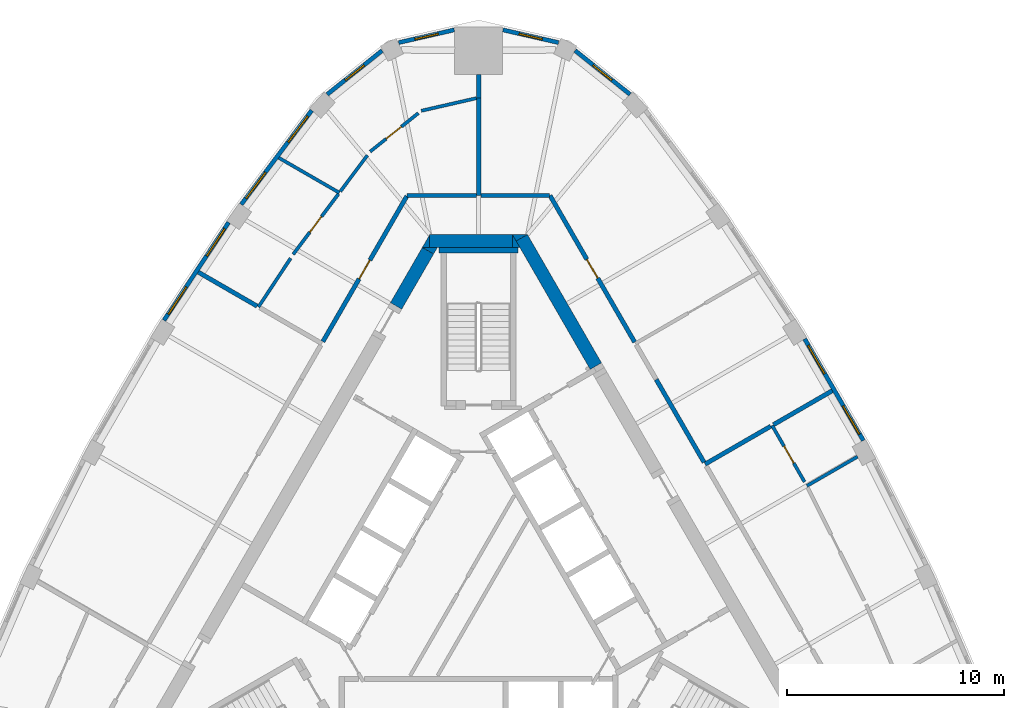
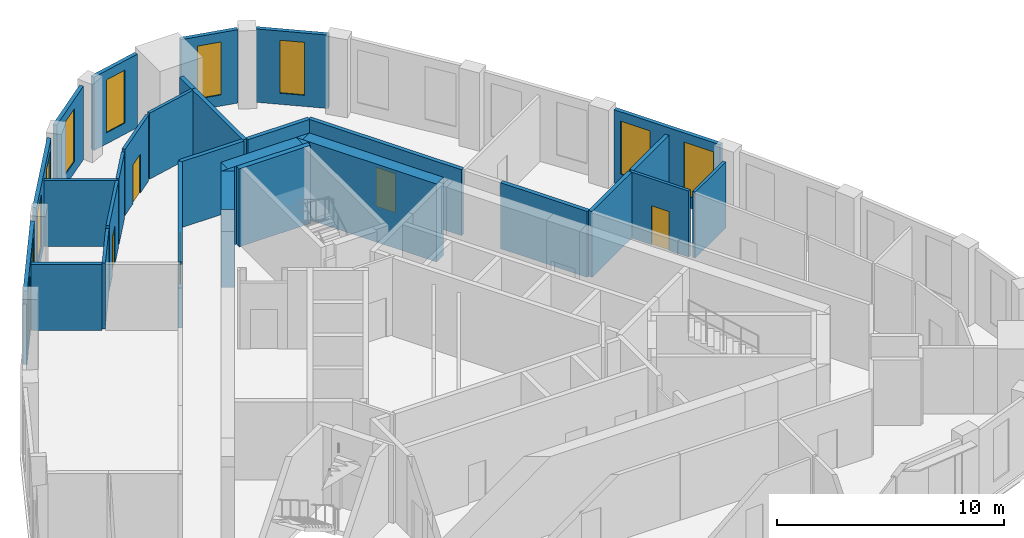
# One storey, part 8 of 10: 33 walls, 10 windows, 5 doors, 15 openings.
"""IFC4 building model written with IfcOpenShell, lengths in metres."""

from ifc_helpers import new_model, si_unit, direction, frame, frame_2d, origin, place, context, subcontext, project, spatial, polyline, rectangle, outline, extrude, material, layer, layer_set, type_object, element, fill, save


model = new_model("IFC4")

# Units and contexts
model_context = context("Model", 3, precision=1e-05, world=origin(), true_north=direction((0.0, 1.0)))
body_context = subcontext(model_context, "Body", "Model", "MODEL_VIEW")
ifc_project = project(units=[si_unit("LENGTHUNIT", "METRE"), si_unit("AREAUNIT", "SQUARE_METRE"), si_unit("VOLUMEUNIT", "CUBIC_METRE"), si_unit("PLANEANGLEUNIT", "RADIAN"), si_unit("MASSUNIT", "GRAM", prefix="KILO")], contexts=[model_context])

# Site, building, storey
site_placement = place(None, origin())
site = spatial("IfcSite", under=ifc_project, at=site_placement, CompositionType="ELEMENT")
building_placement = place(site_placement, origin())
building = spatial("IfcBuilding", under=site, at=building_placement, Name="Mestral Congress Tower", CompositionType="ELEMENT")
storey_placement = place(building_placement, frame((0.0, 0.0, 304.800048828125)))
storey = spatial("IfcBuildingStorey", under=building, at=storey_placement, Name="L71", CompositionType="ELEMENT", Elevation=304.800048828125)

# Walls
ifc_material_1 = material(Name="Concrete C60/75", Category="concrete")
ifc_layer_1 = layer(ifc_material_1, 0.60009765625)
ifc_layer_set_1 = layer_set([ifc_layer_1], Name="Concrete C60/75")
wall_type_1 = type_object("IfcWallType", Name="Core wall RC 600", PredefinedType="SOLIDWALL", material=ifc_layer_set_1)
wall_1_placement = place(storey_placement, frame((1.98876953125, 16.45556640625, 0.0), z_axis=(0.0, 0.0, 1.0), x_axis=(0.499973159588, -0.866040899549, 0.0)))
element("IfcWall", 1, at=wall_1_placement, inside=storey, type_object=wall_type_1, Name="L71 core wall", PredefinedType="SOLIDWALL", context=body_context, shape_type="SweptSolid", body=[
    extrude(rectangle(XDim=6.828125, YDim=0.60009765625, at=frame_2d((3.4140625, 0.0))), origin(), (0.0, 0.0, 1.0), 4.199951171875),
])
placement = place(storey_placement, origin())
element("IfcWall", 2, at=placement, inside=storey, type_object=wall_type_1, Name="L71 core wall", PredefinedType="SOLIDWALL", context=body_context, shape_type="SweptSolid", body=[
    extrude(outline(polyline([(1.558837890625, 16.60009765625), (2.23486328125, 16.60009765625), (1.727783203125, 16.307373046875), (1.558837890625, 16.60009765625)])), origin(), (0.0, 0.0, 1.0), 4.199951171875),
])
wall_3_placement = place(storey_placement, frame((-2.258056640625, 16.300048828125, 0.0), z_axis=(0.0, 0.0, 1.0), x_axis=(1.0, 0.0, 0.0)))
element("IfcWall", 3, at=wall_3_placement, inside=storey, type_object=wall_type_1, Name="L71 core wall", PredefinedType="SOLIDWALL", context=body_context, shape_type="SweptSolid", body=[
    extrude(rectangle(XDim=3.8232421875, YDim=0.60009765625, at=frame_2d((1.91162109375, 0.0))), origin(), (0.0, 0.0, 1.0), 4.199951171875),
])
element("IfcWall", 4, at=placement, inside=storey, type_object=wall_type_1, Name="L71 core wall", PredefinedType="SOLIDWALL", context=body_context, shape_type="SweptSolid", body=[
    extrude(outline(polyline([(1.9052734375, 16.0), (1.5673828125, 16.0), (1.5673828125, 16.58544921875), (1.9052734375, 16.0)])), origin(), (0.0, 0.0, 1.0), 4.199951171875),
])
element("IfcWall", 5, at=placement, inside=storey, type_object=wall_type_1, Name="L71 core wall", PredefinedType="SOLIDWALL", context=body_context, shape_type="SweptSolid", body=[
    extrude(outline(polyline([(-2.59814453125, 16.0), (-2.260009765625, 16.58544921875), (-2.260009765625, 16.0), (-2.59814453125, 16.0)])), origin(), (0.0, 0.0, 1.0), 4.199951171875),
])
wall_6_placement = place(storey_placement, frame((-2.335205078125, 15.85546875, 0.0), z_axis=(0.0, 0.0, 1.0), x_axis=(-0.499960127962, -0.866048422692, 0.0)))
element("IfcWall", 6, at=wall_6_placement, inside=storey, type_object=wall_type_1, Name="L71 core wall", PredefinedType="SOLIDWALL", context=body_context, shape_type="SweptSolid", body=[
    extrude(rectangle(XDim=2.934326171875, YDim=0.60009765625, at=frame_2d((1.46728515625, 0.0))), origin(), (0.0, 0.0, 1.0), 4.199951171875),
])
element("IfcWall", 7, at=placement, inside=storey, type_object=wall_type_1, Name="L71 core wall", PredefinedType="SOLIDWALL", context=body_context, shape_type="SweptSolid", body=[
    extrude(outline(polyline([(-1.9052734375, 16.0), (-2.07421875, 15.707275390625), (-2.581298828125, 16.0), (-1.9052734375, 16.0)])), origin(), (0.0, 0.0, 1.0), 4.199951171875),
])

# Wall, openings, windows
ifc_material_2 = material(Name="Precast concrete C40/50 with limestone facing", Category="masonry")
ifc_layer_2 = layer(ifc_material_2, 0.18994140625)
ifc_layer_set_2 = layer_set([ifc_layer_2], Name="Precast concrete C40/50 with limestone facing")
wall_type_2 = type_object("IfcWallType", Name="Facade stone wall 190", PredefinedType="SOLIDWALL", material=ifc_layer_set_2)
wall_8_placement = place(storey_placement, frame((17.728271484375, 7.1142578125, 0.0), z_axis=(0.0, 0.0, 1.0), x_axis=(-0.500024767483, 0.866011103799, 0.0)))
wall_8 = element("IfcWall", 8, at=wall_8_placement, inside=storey, type_object=wall_type_2, Name="Facade wall F1-02", PredefinedType="SOLIDWALL", context=body_context, shape_type="SweptSolid", body=[
    extrude(rectangle(XDim=5.406005859375, YDim=0.18994140625, at=frame_2d((2.703125, 0.0))), origin(), (0.0, 0.0, 1.0), 3.949951171875),
])
opening_1_placement = place(wall_8_placement, frame((0.346435546875, 0.0, 0.60009765625)))
opening_1 = element("IfcOpeningElement", 9, at=opening_1_placement, cuts=wall_8, Name="Opening W6", PredefinedType="OPENING", context=body_context, shape_type="SweptSolid", body=[
    extrude(rectangle(XDim=1.5, YDim=2.85009765625, at=frame_2d((0.75, 1.425048828125))), frame((0.0, 0.10498046875, 0.0), z_axis=(0.0, -1.0, 0.0), x_axis=(1.0, 0.0, 0.0)), (0.0, 0.0, 1.0), 0.2099609375),
])
opening_2_placement = place(wall_8_placement, frame((3.5595703125, 0.0, 0.60009765625)))
opening_2 = element("IfcOpeningElement", 10, at=opening_2_placement, cuts=wall_8, Name="Opening W6", PredefinedType="OPENING", context=body_context, shape_type="SweptSolid", body=[
    extrude(rectangle(XDim=1.5, YDim=2.85009765625, at=frame_2d((0.75, 1.425048828125))), frame((0.0, 0.10498046875, 0.0), z_axis=(0.0, -1.0, 0.0), x_axis=(1.0, 0.0, 0.0)), (0.0, 0.0, 1.0), 0.2099609375),
])
ifc_material_3 = material(Name="Clear low-emissivity double glazing", Category="glass")
window_type_1 = type_object("IfcWindowType", Name="Facade punched window 1500 x 2850 sill 600", PartitioningType="SINGLE_PANEL", PredefinedType="WINDOW", material=ifc_material_3)
window_1_placement = place(opening_1_placement, origin())
window_1 = element("IfcWindow", 11, at=window_1_placement, inside=storey, type_object=window_type_1, Name="Window F1-02a", OverallHeight=2.85009765625, OverallWidth=1.5, PartitioningType="SINGLE_PANEL", PredefinedType="WINDOW", context=body_context, shape_type="SweptSolid", body=[
    extrude(rectangle(XDim=1.5, YDim=2.85009765625, at=frame_2d((0.75, 1.425048828125))), frame((0.0, 0.044921875, 0.0), z_axis=(0.0, -1.0, 0.0), x_axis=(1.0, 0.0, 0.0)), (0.0, 0.0, 1.0), 0.06005859375),
])
fill(opening_1, window_1)
window_2_placement = place(opening_2_placement, origin())
window_2 = element("IfcWindow", 12, at=window_2_placement, inside=storey, type_object=window_type_1, Name="Window F1-02b", OverallHeight=2.85009765625, OverallWidth=1.5, PartitioningType="SINGLE_PANEL", PredefinedType="WINDOW", context=body_context, shape_type="SweptSolid", body=[
    extrude(rectangle(XDim=1.5, YDim=2.85009765625, at=frame_2d((0.75, 1.425048828125))), frame((0.0, 0.044921875, 0.0), z_axis=(0.0, -1.0, 0.0), x_axis=(1.0, 0.0, 0.0)), (0.0, 0.0, 1.0), 0.06005859375),
])
fill(opening_2, window_2)

# Wall, opening, window
wall_9_placement = place(storey_placement, frame((6.977294921875, 23.061279296875, 0.0), z_axis=(0.0, 0.0, 1.0), x_axis=(-0.781626234064, 0.623747088349, 0.0)))
wall_9 = element("IfcWall", 13, at=wall_9_placement, inside=storey, type_object=wall_type_2, Name="Facade wall K1-0", PredefinedType="SOLIDWALL", context=body_context, shape_type="SweptSolid", body=[
    extrude(rectangle(XDim=3.236572265625, YDim=0.18994140625, at=frame_2d((1.6181640625, 0.0))), origin(), (0.0, 0.0, 1.0), 3.949951171875),
])
opening_3_placement = place(wall_9_placement, frame((1.068359375, 0.0, 0.60009765625)))
opening_3 = element("IfcOpeningElement", 14, at=opening_3_placement, cuts=wall_9, Name="Opening W7", PredefinedType="OPENING", context=body_context, shape_type="SweptSolid", body=[
    extrude(rectangle(XDim=1.10009765625, YDim=2.85009765625, at=frame_2d((0.550048828125, 1.425048828125))), frame((0.0, 0.10498046875, 0.0), z_axis=(0.0, -1.0, 0.0), x_axis=(1.0, 0.0, 0.0)), (0.0, 0.0, 1.0), 0.2099609375),
])
window_type_2 = type_object("IfcWindowType", Name="Facade punched window 1100 x 2850 sill 600", PartitioningType="SINGLE_PANEL", PredefinedType="WINDOW", material=ifc_material_3)
window_3_placement = place(opening_3_placement, origin())
window_3 = element("IfcWindow", 15, at=window_3_placement, inside=storey, type_object=window_type_2, Name="Window K1-0", OverallHeight=2.85009765625, OverallWidth=1.10009765625, PartitioningType="SINGLE_PANEL", PredefinedType="WINDOW", context=body_context, shape_type="SweptSolid", body=[
    extrude(rectangle(XDim=1.10009765625, YDim=2.85009765625, at=frame_2d((0.550048828125, 1.425048828125))), frame((0.0, 0.044921875, 0.0), z_axis=(0.0, -1.0, 0.0), x_axis=(1.0, 0.0, 0.0)), (0.0, 0.0, 1.0), 0.06005859375),
])
fill(opening_3, window_3)

wall_10_placement = place(storey_placement, frame((3.6826171875, 25.44873046875, 0.0), z_axis=(0.0, 0.0, 1.0), x_axis=(-0.974913273386, 0.222585060988, 0.0)))
wall_10 = element("IfcWall", 16, at=wall_10_placement, inside=storey, type_object=wall_type_2, Name="Facade wall K1-1", PredefinedType="SOLIDWALL", context=body_context, shape_type="SweptSolid", body=[
    extrude(rectangle(XDim=2.626953125, YDim=0.18994140625, at=frame_2d((1.3134765625, 0.0))), origin(), (0.0, 0.0, 1.0), 3.949951171875),
])
opening_4_placement = place(wall_10_placement, frame((0.763427734375, 0.0, 0.60009765625)))
opening_4 = element("IfcOpeningElement", 17, at=opening_4_placement, cuts=wall_10, Name="Opening W7", PredefinedType="OPENING", context=body_context, shape_type="SweptSolid", body=[
    extrude(rectangle(XDim=1.10009765625, YDim=2.85009765625, at=frame_2d((0.550048828125, 1.425048828125))), frame((0.0, 0.10498046875, 0.0), z_axis=(0.0, -1.0, 0.0), x_axis=(1.0, 0.0, 0.0)), (0.0, 0.0, 1.0), 0.2099609375),
])
window_4_placement = place(opening_4_placement, origin())
window_4 = element("IfcWindow", 18, at=window_4_placement, inside=storey, type_object=window_type_2, Name="Window K1-1", OverallHeight=2.85009765625, OverallWidth=1.10009765625, PartitioningType="SINGLE_PANEL", PredefinedType="WINDOW", context=body_context, shape_type="SweptSolid", body=[
    extrude(rectangle(XDim=1.10009765625, YDim=2.85009765625, at=frame_2d((0.550048828125, 1.425048828125))), frame((0.0, 0.044921875, 0.0), z_axis=(0.0, -1.0, 0.0), x_axis=(1.0, 0.0, 0.0)), (0.0, 0.0, 1.0), 0.06005859375),
])
fill(opening_4, window_4)

wall_11_placement = place(storey_placement, frame((-1.12158203125, 26.033447265625, 0.0), z_axis=(0.0, 0.0, 1.0), x_axis=(-0.974913273386, -0.222585060988, 0.0)))
wall_11 = element("IfcWall", 19, at=wall_11_placement, inside=storey, type_object=wall_type_2, Name="Facade wall K1-2", PredefinedType="SOLIDWALL", context=body_context, shape_type="SweptSolid", body=[
    extrude(rectangle(XDim=2.626953125, YDim=0.18994140625, at=frame_2d((1.3134765625, 0.0))), origin(), (0.0, 0.0, 1.0), 3.949951171875),
])
opening_5_placement = place(wall_11_placement, frame((0.763427734375, 0.0, 0.60009765625)))
opening_5 = element("IfcOpeningElement", 20, at=opening_5_placement, cuts=wall_11, Name="Opening W7", PredefinedType="OPENING", context=body_context, shape_type="SweptSolid", body=[
    extrude(rectangle(XDim=1.10009765625, YDim=2.85009765625, at=frame_2d((0.550048828125, 1.425048828125))), frame((0.0, 0.10498046875, 0.0), z_axis=(0.0, -1.0, 0.0), x_axis=(1.0, 0.0, 0.0)), (0.0, 0.0, 1.0), 0.2099609375),
])
window_5_placement = place(opening_5_placement, origin())
window_5 = element("IfcWindow", 21, at=window_5_placement, inside=storey, type_object=window_type_2, Name="Window K1-2", OverallHeight=2.85009765625, OverallWidth=1.10009765625, PartitioningType="SINGLE_PANEL", PredefinedType="WINDOW", context=body_context, shape_type="SweptSolid", body=[
    extrude(rectangle(XDim=1.10009765625, YDim=2.85009765625, at=frame_2d((0.550048828125, 1.425048828125))), frame((0.0, 0.044921875, 0.0), z_axis=(0.0, -1.0, 0.0), x_axis=(1.0, 0.0, 0.0)), (0.0, 0.0, 1.0), 0.06005859375),
])
fill(opening_5, window_5)

wall_12_placement = place(storey_placement, frame((-4.447509765625, 25.080078125, 0.0), z_axis=(0.0, 0.0, 1.0), x_axis=(-0.781626234064, -0.623747088349, 0.0)))
wall_12 = element("IfcWall", 22, at=wall_12_placement, inside=storey, type_object=wall_type_2, Name="Facade wall K1-3", PredefinedType="SOLIDWALL", context=body_context, shape_type="SweptSolid", body=[
    extrude(rectangle(XDim=3.236572265625, YDim=0.18994140625, at=frame_2d((1.6181640625, 0.0))), origin(), (0.0, 0.0, 1.0), 3.949951171875),
])
opening_6_placement = place(wall_12_placement, frame((1.068359375, 0.0, 0.60009765625)))
opening_6 = element("IfcOpeningElement", 23, at=opening_6_placement, cuts=wall_12, Name="Opening W7", PredefinedType="OPENING", context=body_context, shape_type="SweptSolid", body=[
    extrude(rectangle(XDim=1.10009765625, YDim=2.85009765625, at=frame_2d((0.550048828125, 1.425048828125))), frame((0.0, 0.10498046875, 0.0), z_axis=(0.0, -1.0, 0.0), x_axis=(1.0, 0.0, 0.0)), (0.0, 0.0, 1.0), 0.2099609375),
])
window_6_placement = place(opening_6_placement, origin())
window_6 = element("IfcWindow", 24, at=window_6_placement, inside=storey, type_object=window_type_2, Name="Window K1-3", OverallHeight=2.85009765625, OverallWidth=1.10009765625, PartitioningType="SINGLE_PANEL", PredefinedType="WINDOW", context=body_context, shape_type="SweptSolid", body=[
    extrude(rectangle(XDim=1.10009765625, YDim=2.85009765625, at=frame_2d((0.550048828125, 1.425048828125))), frame((0.0, 0.044921875, 0.0), z_axis=(0.0, -1.0, 0.0), x_axis=(1.0, 0.0, 0.0)), (0.0, 0.0, 1.0), 0.06005859375),
])
fill(opening_6, window_6)

# Wall, openings, windows
wall_13_placement = place(storey_placement, frame((-7.691650390625, 22.32373046875, 0.0), z_axis=(0.0, 0.0, 1.0), x_axis=(-0.599559865294, -0.800329911929, 0.0)))
wall_13 = element("IfcWall", 25, at=wall_13_placement, inside=storey, type_object=wall_type_2, Name="Facade wall F2-00", PredefinedType="SOLIDWALL", context=body_context, shape_type="SweptSolid", body=[
    extrude(rectangle(XDim=5.4150390625, YDim=0.18994140625, at=frame_2d((2.70751953125, 0.0))), origin(), (0.0, 0.0, 1.0), 3.949951171875),
])
opening_7_placement = place(wall_13_placement, frame((0.322509765625, 0.0, 0.60009765625)))
opening_7 = element("IfcOpeningElement", 26, at=opening_7_placement, cuts=wall_13, Name="Opening W6", PredefinedType="OPENING", context=body_context, shape_type="SweptSolid", body=[
    extrude(rectangle(XDim=1.5, YDim=2.85009765625, at=frame_2d((0.75, 1.425048828125))), frame((0.0, 0.10498046875, 0.0), z_axis=(0.0, -1.0, 0.0), x_axis=(1.0, 0.0, 0.0)), (0.0, 0.0, 1.0), 0.2099609375),
])
opening_8_placement = place(wall_13_placement, frame((3.5576171875, 0.0, 0.60009765625)))
opening_8 = element("IfcOpeningElement", 27, at=opening_8_placement, cuts=wall_13, Name="Opening W6", PredefinedType="OPENING", context=body_context, shape_type="SweptSolid", body=[
    extrude(rectangle(XDim=1.5, YDim=2.85009765625, at=frame_2d((0.75, 1.425048828125))), frame((0.0, 0.10498046875, 0.0), z_axis=(0.0, -1.0, 0.0), x_axis=(1.0, 0.0, 0.0)), (0.0, 0.0, 1.0), 0.2099609375),
])
window_7_placement = place(opening_7_placement, origin())
window_7 = element("IfcWindow", 28, at=window_7_placement, inside=storey, type_object=window_type_1, Name="Window F2-00a", OverallHeight=2.85009765625, OverallWidth=1.5, PartitioningType="SINGLE_PANEL", PredefinedType="WINDOW", context=body_context, shape_type="SweptSolid", body=[
    extrude(rectangle(XDim=1.5, YDim=2.85009765625, at=frame_2d((0.75, 1.425048828125))), frame((0.0, 0.044921875, 0.0), z_axis=(0.0, -1.0, 0.0), x_axis=(1.0, 0.0, 0.0)), (0.0, 0.0, 1.0), 0.06005859375),
])
fill(opening_7, window_7)
window_8_placement = place(opening_8_placement, origin())
window_8 = element("IfcWindow", 29, at=window_8_placement, inside=storey, type_object=window_type_1, Name="Window F2-00b", OverallHeight=2.85009765625, OverallWidth=1.5, PartitioningType="SINGLE_PANEL", PredefinedType="WINDOW", context=body_context, shape_type="SweptSolid", body=[
    extrude(rectangle(XDim=1.5, YDim=2.85009765625, at=frame_2d((0.75, 1.425048828125))), frame((0.0, 0.044921875, 0.0), z_axis=(0.0, -1.0, 0.0), x_axis=(1.0, 0.0, 0.0)), (0.0, 0.0, 1.0), 0.06005859375),
])
fill(opening_8, window_8)

wall_14_placement = place(storey_placement, frame((-11.518310546875, 17.16552734375, 0.0), z_axis=(0.0, 0.0, 1.0), x_axis=(-0.550744054781, -0.83467417962, 0.0)))
wall_14 = element("IfcWall", 30, at=wall_14_placement, inside=storey, type_object=wall_type_2, Name="Facade wall F2-01", PredefinedType="SOLIDWALL", context=body_context, shape_type="SweptSolid", body=[
    extrude(rectangle(XDim=5.406005859375, YDim=0.18994140625, at=frame_2d((2.703125, 0.0))), origin(), (0.0, 0.0, 1.0), 3.949951171875),
])
opening_9_placement = place(wall_14_placement, frame((0.346435546875, 0.0, 0.60009765625)))
opening_9 = element("IfcOpeningElement", 31, at=opening_9_placement, cuts=wall_14, Name="Opening W6", PredefinedType="OPENING", context=body_context, shape_type="SweptSolid", body=[
    extrude(rectangle(XDim=1.5, YDim=2.85009765625, at=frame_2d((0.75, 1.425048828125))), frame((0.0, 0.10498046875, 0.0), z_axis=(0.0, -1.0, 0.0), x_axis=(1.0, 0.0, 0.0)), (0.0, 0.0, 1.0), 0.2099609375),
])
opening_10_placement = place(wall_14_placement, frame((3.559326171875, 0.0, 0.60009765625)))
opening_10 = element("IfcOpeningElement", 32, at=opening_10_placement, cuts=wall_14, Name="Opening W6", PredefinedType="OPENING", context=body_context, shape_type="SweptSolid", body=[
    extrude(rectangle(XDim=1.5, YDim=2.85009765625, at=frame_2d((0.75, 1.425048828125))), frame((0.0, 0.10498046875, 0.0), z_axis=(0.0, -1.0, 0.0), x_axis=(1.0, 0.0, 0.0)), (0.0, 0.0, 1.0), 0.2099609375),
])
window_9_placement = place(opening_9_placement, origin())
window_9 = element("IfcWindow", 33, at=window_9_placement, inside=storey, type_object=window_type_1, Name="Window F2-01a", OverallHeight=2.85009765625, OverallWidth=1.5, PartitioningType="SINGLE_PANEL", PredefinedType="WINDOW", context=body_context, shape_type="SweptSolid", body=[
    extrude(rectangle(XDim=1.5, YDim=2.85009765625, at=frame_2d((0.75, 1.425048828125))), frame((0.0, 0.044921875, 0.0), z_axis=(0.0, -1.0, 0.0), x_axis=(1.0, 0.0, 0.0)), (0.0, 0.0, 1.0), 0.06005859375),
])
fill(opening_9, window_9)
window_10_placement = place(opening_10_placement, origin())
window_10 = element("IfcWindow", 34, at=window_10_placement, inside=storey, type_object=window_type_1, Name="Window F2-01b", OverallHeight=2.85009765625, OverallWidth=1.5, PartitioningType="SINGLE_PANEL", PredefinedType="WINDOW", context=body_context, shape_type="SweptSolid", body=[
    extrude(rectangle(XDim=1.5, YDim=2.85009765625, at=frame_2d((0.75, 1.425048828125))), frame((0.0, 0.044921875, 0.0), z_axis=(0.0, -1.0, 0.0), x_axis=(1.0, 0.0, 0.0)), (0.0, 0.0, 1.0), 0.06005859375),
])
fill(opening_10, window_10)

# Wall
ifc_material_4 = material(Name="Plasterboard partition on steel studs", Category="steel")
ifc_layer_3 = layer(ifc_material_4, 0.14990234375)
ifc_layer_set_3 = layer_set([ifc_layer_3], Name="Plasterboard partition on steel studs")
wall_type_3 = type_object("IfcWallType", Name="Office partition 150", PredefinedType="PARTITIONING", material=ifc_layer_set_3)
wall_15_placement = place(storey_placement, frame((15.124267578125, 5.02197265625, 0.0), z_axis=(0.0, 0.0, 1.0), x_axis=(0.866010629317, 0.500025589255, 0.0)))
element("IfcWall", 35, at=wall_15_placement, inside=storey, type_object=wall_type_3, Name="Partition", PredefinedType="PARTITIONING", context=body_context, shape_type="SweptSolid", body=[
    extrude(rectangle(XDim=2.695556640625, YDim=0.14990234375, at=frame_2d((1.34765625, 0.0))), origin(), (0.0, 0.0, 1.0), 3.550048828125),
])

# Wall, opening, door
wall_16_placement = place(storey_placement, frame((13.523193359375, 7.8076171875, 0.0), z_axis=(0.0, 0.0, 1.0), x_axis=(0.498338040698, -0.866982812513, 0.0)))
wall_16 = element("IfcWall", 36, at=wall_16_placement, inside=storey, type_object=wall_type_3, Name="Partition", PredefinedType="PARTITIONING", context=body_context, shape_type="SweptSolid", body=[
    extrude(rectangle(XDim=2.998779296875, YDim=0.14990234375, at=frame_2d((1.49951171875, 0.0))), origin(), (0.0, 0.0, 1.0), 3.550048828125),
])
opening_11_placement = place(wall_16_placement, frame((1.0986328125, 0.0, 0.0)))
opening_11 = element("IfcOpeningElement", 37, at=opening_11_placement, cuts=wall_16, Name="Opening O14-007", PredefinedType="OPENING", context=body_context, shape_type="SweptSolid", body=[
    extrude(rectangle(XDim=0.89990234375, YDim=2.10009765625, at=frame_2d((0.449951171875, 1.050048828125))), frame((0.0, 0.0849609375, 0.0), z_axis=(0.0, -1.0, 0.0), x_axis=(1.0, 0.0, 0.0)), (0.0, 0.0, 1.0), 0.169921875),
])
ifc_material_5 = material(Name="Timber door set", Category="wood")
door_type_1 = type_object("IfcDoorType", Name="Office door 900x2100", OperationType="SINGLE_SWING_LEFT", PredefinedType="DOOR", material=ifc_material_5)
door_1_placement = place(opening_11_placement, origin())
door_1 = element("IfcDoor", 38, at=door_1_placement, inside=storey, type_object=door_type_1, Name="Door O14-007", OperationType="SINGLE_SWING_RIGHT", OverallHeight=2.10009765625, OverallWidth=0.89990234375, PredefinedType="DOOR", context=body_context, shape_type="SweptSolid", body=[
    extrude(rectangle(XDim=0.89990234375, YDim=2.10009765625, at=frame_2d((0.449951171875, 1.050048828125))), frame((0.0, 0.02490234375, 0.0), z_axis=(0.0, -1.0, 0.0), x_axis=(1.0, 0.0, 0.0)), (0.0, 0.0, 1.0), 0.050048828125),
])
fill(opening_11, door_1)

# Walls
wall_17_placement = place(storey_placement, frame((-6.41650390625, 18.5302734375, 0.0), z_axis=(0.0, 0.0, 1.0), x_axis=(-0.866034203951, 0.499984757355, 0.0)))
element("IfcWall", 39, at=wall_17_placement, inside=storey, type_object=wall_type_3, Name="Partition", PredefinedType="PARTITIONING", context=body_context, shape_type="SweptSolid", body=[
    extrude(rectangle(XDim=3.22265625, YDim=0.14990234375, at=frame_2d((1.611328125, 0.0))), origin(), (0.0, 0.0, 1.0), 3.550048828125),
])
wall_18_placement = place(storey_placement, frame((-0.10009765625, 22.886962890625, 0.0), z_axis=(0.0, 0.0, 1.0), x_axis=(-0.974895716418, -0.222661945805, 0.0)))
element("IfcWall", 40, at=wall_18_placement, inside=storey, type_object=wall_type_3, Name="Partition", PredefinedType="PARTITIONING", context=body_context, shape_type="SweptSolid", body=[
    extrude(rectangle(XDim=2.605224609375, YDim=0.14990234375, at=frame_2d((1.302734375, 0.0))), origin(), (0.0, 0.0, 1.0), 3.550048828125),
])

# Wall, opening, door
wall_19_placement = place(storey_placement, frame((-4.995361328125, 20.42724609375, 0.0), z_axis=(0.0, 0.0, 1.0), x_axis=(0.781622833459, 0.62375134967, 0.0)))
wall_19 = element("IfcWall", 41, at=wall_19_placement, inside=storey, type_object=wall_type_3, Name="Partition", PredefinedType="PARTITIONING", context=body_context, shape_type="SweptSolid", body=[
    extrude(rectangle(XDim=2.8408203125, YDim=0.14990234375, at=frame_2d((1.42041015625, 0.0))), origin(), (0.0, 0.0, 1.0), 3.550048828125),
])
opening_12_placement = place(wall_19_placement, frame((0.940673828125, 0.0, 0.0)))
opening_12 = element("IfcOpeningElement", 42, at=opening_12_placement, cuts=wall_19, Name="Opening O14-011", PredefinedType="OPENING", context=body_context, shape_type="SweptSolid", body=[
    extrude(rectangle(XDim=0.89990234375, YDim=2.10009765625, at=frame_2d((0.449951171875, 1.050048828125))), frame((0.0, 0.0849609375, 0.0), z_axis=(0.0, -1.0, 0.0), x_axis=(1.0, 0.0, 0.0)), (0.0, 0.0, 1.0), 0.169921875),
])
door_2_placement = place(opening_12_placement, origin())
door_2 = element("IfcDoor", 43, at=door_2_placement, inside=storey, type_object=door_type_1, Name="Door O14-011", OperationType="SINGLE_SWING_LEFT", OverallHeight=2.10009765625, OverallWidth=0.89990234375, PredefinedType="DOOR", context=body_context, shape_type="SweptSolid", body=[
    extrude(rectangle(XDim=0.89990234375, YDim=2.10009765625, at=frame_2d((0.449951171875, 1.050048828125))), frame((0.0, 0.02490234375, 0.0), z_axis=(0.0, -1.0, 0.0), x_axis=(1.0, 0.0, 0.0)), (0.0, 0.0, 1.0), 0.050048828125),
])
fill(opening_12, door_2)

# Wall
wall_20_placement = place(storey_placement, frame((-5.123779296875, 20.255859375, 0.0), z_axis=(0.0, 0.0, 1.0), x_axis=(-0.599549274705, -0.800337845663, 0.0)))
element("IfcWall", 44, at=wall_20_placement, inside=storey, type_object=wall_type_3, Name="Partition", PredefinedType="PARTITIONING", context=body_context, shape_type="SweptSolid", body=[
    extrude(rectangle(XDim=2.080322265625, YDim=0.14990234375, at=frame_2d((1.0400390625, 0.0))), origin(), (0.0, 0.0, 1.0), 3.550048828125),
])

# Wall, opening, door
wall_21_placement = place(storey_placement, frame((-8.54443359375, 15.689697265625, 0.0), z_axis=(0.0, 0.0, 1.0), x_axis=(0.599538824769, 0.800345673815, 0.0)))
wall_21 = element("IfcWall", 45, at=wall_21_placement, inside=storey, type_object=wall_type_3, Name="Partition", PredefinedType="PARTITIONING", context=body_context, shape_type="SweptSolid", body=[
    extrude(rectangle(XDim=3.4736328125, YDim=0.14990234375, at=frame_2d((1.73681640625, 0.0))), origin(), (0.0, 0.0, 1.0), 3.550048828125),
])
opening_13_placement = place(wall_21_placement, frame((1.273681640625, 0.0, 0.0)))
opening_13 = element("IfcOpeningElement", 46, at=opening_13_placement, cuts=wall_21, Name="Opening O14-012", PredefinedType="OPENING", context=body_context, shape_type="SweptSolid", body=[
    extrude(rectangle(XDim=0.89990234375, YDim=2.10009765625, at=frame_2d((0.449951171875, 1.050048828125))), frame((0.0, 0.0849609375, 0.0), z_axis=(0.0, -1.0, 0.0), x_axis=(1.0, 0.0, 0.0)), (0.0, 0.0, 1.0), 0.169921875),
])
door_3_placement = place(opening_13_placement, origin())
door_3 = element("IfcDoor", 47, at=door_3_placement, inside=storey, type_object=door_type_1, Name="Door O14-012", OperationType="SINGLE_SWING_LEFT", OverallHeight=2.10009765625, OverallWidth=0.89990234375, PredefinedType="DOOR", context=body_context, shape_type="SweptSolid", body=[
    extrude(rectangle(XDim=0.89990234375, YDim=2.10009765625, at=frame_2d((0.449951171875, 1.050048828125))), frame((0.0, 0.02490234375, 0.0), z_axis=(0.0, -1.0, 0.0), x_axis=(1.0, 0.0, 0.0)), (0.0, 0.0, 1.0), 0.050048828125),
])
fill(opening_13, door_3)

# Walls
wall_22_placement = place(storey_placement, frame((-8.662353515625, 15.5107421875, 0.0), z_axis=(0.0, 0.0, 1.0), x_axis=(-0.550792824442, -0.834641997831, 0.0)))
element("IfcWall", 48, at=wall_22_placement, inside=storey, type_object=wall_type_3, Name="Partition", PredefinedType="PARTITIONING", context=body_context, shape_type="SweptSolid", body=[
    extrude(rectangle(XDim=2.68603515625, YDim=0.14990234375, at=frame_2d((1.343017578125, 0.0))), origin(), (0.0, 0.0, 1.0), 3.550048828125),
])
ifc_material_6 = material(Name="Dense masonry wall, plastered", Category="masonry")
ifc_layer_4 = layer(ifc_material_6, 0.199951171875)
ifc_layer_set_4 = layer_set([ifc_layer_4], Name="Dense masonry wall, plastered")
wall_type_4 = type_object("IfcWallType", Name="Office tenancy wall 200", PredefinedType="PARTITIONING", material=ifc_layer_set_4)
wall_23_placement = place(storey_placement, frame((13.588134765625, 7.84521484375, 0.0), z_axis=(0.0, 0.0, 1.0), x_axis=(0.866022959057, 0.500004234368, 0.0)))
element("IfcWall", 49, at=wall_23_placement, inside=storey, type_object=wall_type_4, Name="Tenancy wall", PredefinedType="PARTITIONING", context=body_context, shape_type="SweptSolid", body=[
    extrude(rectangle(XDim=3.125, YDim=0.199951171875, at=frame_2d((1.5625, 0.0))), origin(), (0.0, 0.0, 1.0), 3.550048828125),
])
wall_24_placement = place(storey_placement, frame((10.435546875, 6.02490234375, 0.0), z_axis=(0.0, 0.0, 1.0), x_axis=(0.866030664334, 0.49999088835, 0.0)))
element("IfcWall", 50, at=wall_24_placement, inside=storey, type_object=wall_type_4, Name="Tenancy wall", PredefinedType="PARTITIONING", context=body_context, shape_type="SweptSolid", body=[
    extrude(rectangle(XDim=3.490234375, YDim=0.199951171875, at=frame_2d((1.7451171875, 0.0))), origin(), (0.0, 0.0, 1.0), 3.550048828125),
])
wall_25_placement = place(storey_placement, frame((10.385498046875, 6.111572265625, 0.0), z_axis=(0.0, 0.0, 1.0), x_axis=(-0.499988222896, 0.866032203192, 0.0)))
element("IfcWall", 51, at=wall_25_placement, inside=storey, type_object=wall_type_4, Name="Tenancy wall", PredefinedType="PARTITIONING", context=body_context, shape_type="SweptSolid", body=[
    extrude(rectangle(XDim=4.39990234375, YDim=0.199951171875, at=frame_2d((2.199951171875, 0.0))), origin(), (0.0, 0.0, 1.0), 3.550048828125),
])
wall_26_placement = place(storey_placement, frame((0.0, 22.90576171875, 0.0), z_axis=(0.0, 0.0, 1.0), x_axis=(0.0, 1.0, 0.0)))
element("IfcWall", 52, at=wall_26_placement, inside=storey, type_object=wall_type_4, Name="Tenancy wall", PredefinedType="PARTITIONING", context=body_context, shape_type="SweptSolid", body=[
    extrude(rectangle(XDim=1.072265625, YDim=0.199951171875, at=frame_2d((0.5361328125, 0.0))), origin(), (0.0, 0.0, 1.0), 3.550048828125),
])
wall_27_placement = place(storey_placement, frame((0.0, 18.39990234375, 0.0), z_axis=(0.0, 0.0, 1.0), x_axis=(0.0, 1.0, 0.0)))
element("IfcWall", 53, at=wall_27_placement, inside=storey, type_object=wall_type_4, Name="Tenancy wall", PredefinedType="PARTITIONING", context=body_context, shape_type="SweptSolid", body=[
    extrude(rectangle(XDim=4.513916015625, YDim=0.199951171875, at=frame_2d((2.2568359375, 0.0))), origin(), (0.0, 0.0, 1.0), 3.550048828125),
])

# Wall, opening, door
wall_28_placement = place(storey_placement, frame((7.18798828125, 11.64990234375, 0.0), z_axis=(0.0, 0.0, 1.0), x_axis=(-0.499986368499, 0.866033273792, 0.0)))
wall_28 = element("IfcWall", 54, at=wall_28_placement, inside=storey, type_object=wall_type_4, Name="Tenancy wall", PredefinedType="PARTITIONING", context=body_context, shape_type="SweptSolid", body=[
    extrude(rectangle(XDim=7.794189453125, YDim=0.199951171875, at=frame_2d((3.89697265625, 0.0))), origin(), (0.0, 0.0, 1.0), 3.550048828125),
])
opening_14_placement = place(wall_28_placement, frame((3.39990234375, 0.0, 0.0)))
opening_14 = element("IfcOpeningElement", 55, at=opening_14_placement, cuts=wall_28, Name="Opening O14-010", PredefinedType="OPENING", context=body_context, shape_type="SweptSolid", body=[
    extrude(rectangle(XDim=1.0, YDim=2.10009765625, at=frame_2d((0.5, 1.050048828125))), frame((0.0, 0.10986328125, 0.0), z_axis=(0.0, -1.0, 0.0), x_axis=(1.0, 0.0, 0.0)), (0.0, 0.0, 1.0), 0.219970703125),
])
ifc_material_7 = material(Name="Fire-rated timber door set", Category="wood")
door_type_2 = type_object("IfcDoorType", Name="Office tenancy entrance door 1000x2100", OperationType="SINGLE_SWING_LEFT", PredefinedType="DOOR", material=ifc_material_7)
door_4_placement = place(opening_14_placement, origin())
door_4 = element("IfcDoor", 56, at=door_4_placement, inside=storey, type_object=door_type_2, Name="Door O14-010", OperationType="SINGLE_SWING_RIGHT", OverallHeight=2.10009765625, OverallWidth=1.0, PredefinedType="DOOR", context=body_context, shape_type="SweptSolid", body=[
    extrude(rectangle(XDim=1.0, YDim=2.10009765625, at=frame_2d((0.5, 1.050048828125))), frame((0.0, 0.02490234375, 0.0), z_axis=(0.0, -1.0, 0.0), x_axis=(1.0, 0.0, 0.0)), (0.0, 0.0, 1.0), 0.050048828125),
])
fill(opening_14, door_4)

# Walls
wall_29_placement = place(storey_placement, frame((3.260986328125, 18.39990234375, 0.0), z_axis=(0.0, 0.0, 1.0), x_axis=(-1.0, 0.0, 0.0)))
element("IfcWall", 57, at=wall_29_placement, inside=storey, type_object=wall_type_4, Name="Tenancy wall", PredefinedType="PARTITIONING", context=body_context, shape_type="SweptSolid", body=[
    extrude(rectangle(XDim=3.160888671875, YDim=0.199951171875, at=frame_2d((1.58056640625, 0.0))), origin(), (0.0, 0.0, 1.0), 3.550048828125),
])
wall_30_placement = place(storey_placement, frame((-10.206787109375, 13.306396484375, 0.0), z_axis=(0.0, 0.0, 1.0), x_axis=(-0.866041434906, 0.499972232254, 0.0)))
element("IfcWall", 58, at=wall_30_placement, inside=storey, type_object=wall_type_4, Name="Tenancy wall", PredefinedType="PARTITIONING", context=body_context, shape_type="SweptSolid", body=[
    extrude(rectangle(XDim=3.130615234375, YDim=0.199951171875, at=frame_2d((1.5654296875, 0.0))), origin(), (0.0, 0.0, 1.0), 3.550048828125),
])
wall_31_placement = place(storey_placement, frame((-0.10009765625, 18.39990234375, 0.0), z_axis=(0.0, 0.0, 1.0), x_axis=(-1.0, 0.0, 0.0)))
element("IfcWall", 59, at=wall_31_placement, inside=storey, type_object=wall_type_4, Name="Tenancy wall", PredefinedType="PARTITIONING", context=body_context, shape_type="SweptSolid", body=[
    extrude(rectangle(XDim=3.19091796875, YDim=0.199951171875, at=frame_2d((1.595458984375, 0.0))), origin(), (0.0, 0.0, 1.0), 3.550048828125),
])

# Wall, opening, door
wall_32_placement = place(storey_placement, frame((-3.305908203125, 18.3740234375, 0.0), z_axis=(0.0, 0.0, 1.0), x_axis=(-0.500000072396, -0.866025361987, 0.0)))
wall_32 = element("IfcWall", 60, at=wall_32_placement, inside=storey, type_object=wall_type_4, Name="Tenancy wall", PredefinedType="PARTITIONING", context=body_context, shape_type="SweptSolid", body=[
    extrude(rectangle(XDim=7.7392578125, YDim=0.199951171875, at=frame_2d((3.86962890625, 0.0))), origin(), (0.0, 0.0, 1.0), 3.550048828125),
])
opening_15_placement = place(wall_32_placement, frame((3.39990234375, 0.0, 0.0)))
opening_15 = element("IfcOpeningElement", 61, at=opening_15_placement, cuts=wall_32, Name="Opening O14-013", PredefinedType="OPENING", context=body_context, shape_type="SweptSolid", body=[
    extrude(rectangle(XDim=1.0, YDim=2.10009765625, at=frame_2d((0.5, 1.050048828125))), frame((0.0, 0.10986328125, 0.0), z_axis=(0.0, -1.0, 0.0), x_axis=(1.0, 0.0, 0.0)), (0.0, 0.0, 1.0), 0.219970703125),
])
door_5_placement = place(opening_15_placement, origin())
door_5 = element("IfcDoor", 62, at=door_5_placement, inside=storey, type_object=door_type_2, Name="Door O14-013", OperationType="SINGLE_SWING_RIGHT", OverallHeight=2.10009765625, OverallWidth=1.0, PredefinedType="DOOR", context=body_context, shape_type="SweptSolid", body=[
    extrude(rectangle(XDim=1.0, YDim=2.10009765625, at=frame_2d((0.5, 1.050048828125))), frame((0.0, 0.02490234375, 0.0), z_axis=(0.0, -1.0, 0.0), x_axis=(1.0, 0.0, 0.0)), (0.0, 0.0, 1.0), 0.050048828125),
])
fill(opening_15, door_5)

# Wall
ifc_layer_5 = layer(ifc_material_1, 0.25)
ifc_layer_set_5 = layer_set([ifc_layer_5], Name="Concrete C60/75")
wall_type_5 = type_object("IfcWallType", Name="Stair wall RC 250", PredefinedType="SOLIDWALL", material=ifc_layer_set_5)
wall_33_placement = place(storey_placement, frame((-1.81689453125, 15.875, 0.0), z_axis=(0.0, 0.0, 1.0), x_axis=(1.0, 0.0, 0.0)))
element("IfcWall", 63, at=wall_33_placement, inside=storey, type_object=wall_type_5, Name="L71 core wall", PredefinedType="SOLIDWALL", context=body_context, shape_type="SweptSolid", body=[
    extrude(rectangle(XDim=3.6337890625, YDim=0.25, at=frame_2d((1.81689453125, 0.0))), origin(), (0.0, 0.0, 1.0), 4.199951171875),
])

save(model, "model.ifc")
